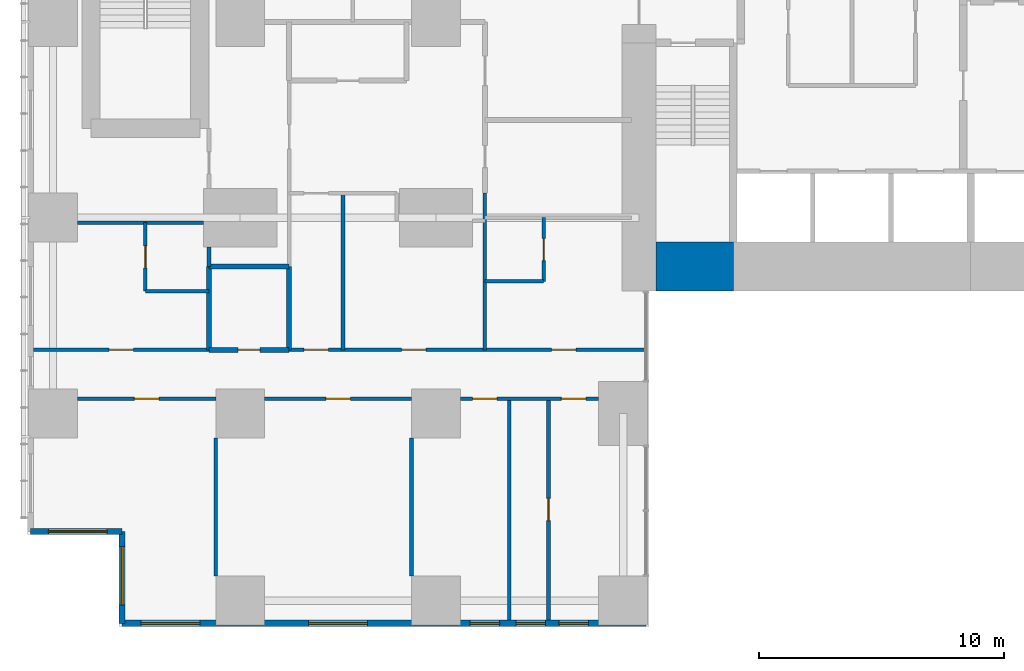
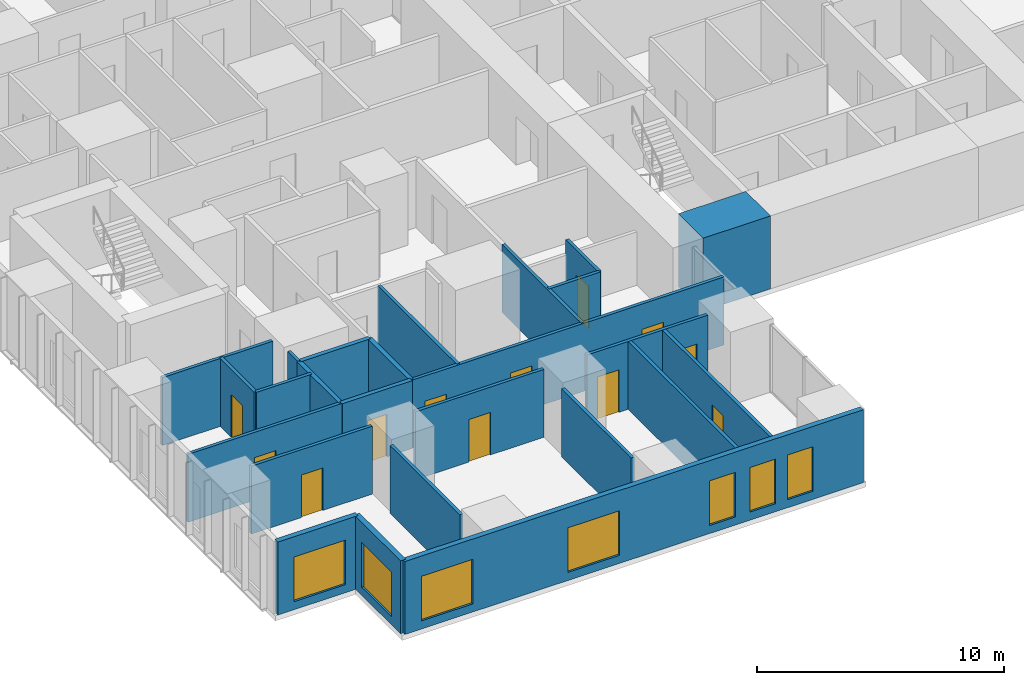
# One storey, part 12 of 20: 25 walls, 12 doors, 7 windows, 19 openings.
"""IFC4 building model written with IfcOpenShell, lengths in metres."""

from ifc_helpers import new_model, si_unit, direction, frame, frame_2d, origin, place, context, subcontext, project, spatial, rectangle, extrude, material, layer, layer_set, type_object, element, fill, save


model = new_model("IFC4")

# Units and contexts
model_context = context("Model", 3, precision=1e-05, world=origin(), true_north=direction((0.0, 1.0)))
body_context = subcontext(model_context, "Body", "Model", "MODEL_VIEW")
ifc_project = project(units=[si_unit("LENGTHUNIT", "METRE"), si_unit("AREAUNIT", "SQUARE_METRE"), si_unit("VOLUMEUNIT", "CUBIC_METRE"), si_unit("PLANEANGLEUNIT", "RADIAN"), si_unit("MASSUNIT", "GRAM", prefix="KILO")], contexts=[model_context])

# Site, building, storey
site_placement = place(None, origin())
site = spatial("IfcSite", under=ifc_project, at=site_placement, CompositionType="ELEMENT")
building_placement = place(site_placement, origin())
building = spatial("IfcBuilding", under=site, at=building_placement, Name="Cleftline Residences", CompositionType="ELEMENT")
storey_placement = place(building_placement, frame((0.0, 0.0, 153.800048828125)))
storey = spatial("IfcBuildingStorey", under=building, at=storey_placement, Name="L40", CompositionType="ELEMENT", Elevation=153.800048828125)

# Wall
ifc_material_1 = material(Name="Concrete B70", Category="concrete")
ifc_layer_1 = layer(ifc_material_1, 2.0)
ifc_layer_set_1 = layer_set([ifc_layer_1], Name="CORE WALL 2000")
wall_type_1 = type_object("IfcWallType", Name="CORE WALL 2000", PredefinedType="SHEAR", material=ifc_layer_set_1)
wall_1_placement = place(storey_placement, frame((25.0, 14.0, 0.0), z_axis=(0.0, 0.0, 1.0), x_axis=(1.0, 0.0, 0.0)))
element("IfcWall", 1, at=wall_1_placement, inside=storey, type_object=wall_type_1, Name="Core wall S1", PredefinedType="SHEAR", context=body_context, shape_type="SweptSolid", body=[
    extrude(rectangle(XDim=3.14990234375, YDim=2.0, at=frame_2d((1.574951171875, 0.0))), origin(), (0.0, 0.0, 1.0), 3.599853515625),
])

# Wall, opening, window
ifc_material_2 = material(Name="Rendered reinforced concrete blockwork", Category="masonry")
ifc_layer_2 = layer(ifc_material_2, 0.25)
ifc_layer_set_2 = layer_set([ifc_layer_2], Name="EXTERNAL WALL 250")
wall_type_2 = type_object("IfcWallType", Name="EXTERNAL WALL 250", PredefinedType="SOLIDWALL", material=ifc_layer_set_2)
wall_2_placement = place(storey_placement, frame((-0.574951171875, 3.175048828125, 0.0), z_axis=(0.0, 0.0, 1.0), x_axis=(1.0, 0.0, 0.0)))
wall_2 = element("IfcWall", 2, at=wall_2_placement, inside=storey, type_object=wall_type_2, Name="External wall", PredefinedType="SOLIDWALL", context=body_context, shape_type="SweptSolid", body=[
    extrude(rectangle(XDim=3.75, YDim=0.25, at=frame_2d((1.875, 0.0))), origin(), (0.0, 0.0, 1.0), 3.599853515625),
])
opening_1_placement = place(wall_2_placement, frame((0.737548828125, 0.0, 0.39990234375)))
opening_1 = element("IfcOpeningElement", 3, at=opening_1_placement, cuts=wall_2, Name="Opening W12", PredefinedType="OPENING", context=body_context, shape_type="SweptSolid", body=[
    extrude(rectangle(XDim=2.39990234375, YDim=2.199951171875, at=frame_2d((1.199951171875, 1.10009765625))), frame((0.0, 0.135009765625, 0.0), z_axis=(0.0, -1.0, 0.0), x_axis=(1.0, 0.0, 0.0)), (0.0, 0.0, 1.0), 0.27001953125),
])
ifc_material_3 = material(Name="Aluminium frame, clear double glazing", Category="aluminium")
window_type_1 = type_object("IfcWindowType", Name="WINDOW 2400X2200", PartitioningType="DOUBLE_PANEL_VERTICAL", PredefinedType="WINDOW", material=ifc_material_3)
window_1_placement = place(opening_1_placement, origin())
window_1 = element("IfcWindow", 4, at=window_1_placement, inside=storey, type_object=window_type_1, Name="Window", OverallHeight=2.199951171875, OverallWidth=2.39990234375, PartitioningType="SINGLE_PANEL", PredefinedType="WINDOW", context=body_context, shape_type="SweptSolid", body=[
    extrude(rectangle(XDim=2.39990234375, YDim=2.199951171875, at=frame_2d((1.199951171875, 1.10009765625))), frame((0.0, 0.030029296875, 0.0), z_axis=(0.0, -1.0, 0.0), x_axis=(1.0, 0.0, 0.0)), (0.0, 0.0, 1.0), 0.06005859375),
])
fill(opening_1, window_1)

wall_3_placement = place(storey_placement, frame((3.175048828125, 3.175048828125, 0.0), z_axis=(0.0, 0.0, 1.0), x_axis=(0.0, -1.0, 0.0)))
wall_3 = element("IfcWall", 5, at=wall_3_placement, inside=storey, type_object=wall_type_2, Name="External wall", PredefinedType="SOLIDWALL", context=body_context, shape_type="SweptSolid", body=[
    extrude(rectangle(XDim=3.75, YDim=0.25, at=frame_2d((1.875, 0.0))), origin(), (0.0, 0.0, 1.0), 3.599853515625),
])
opening_2_placement = place(wall_3_placement, frame((0.612548828125, 0.0, 0.39990234375)))
opening_2 = element("IfcOpeningElement", 6, at=opening_2_placement, cuts=wall_3, Name="Opening W12", PredefinedType="OPENING", context=body_context, shape_type="SweptSolid", body=[
    extrude(rectangle(XDim=2.39990234375, YDim=2.199951171875, at=frame_2d((1.199951171875, 1.10009765625))), frame((0.0, 0.135009765625, 0.0), z_axis=(0.0, -1.0, 0.0), x_axis=(1.0, 0.0, 0.0)), (0.0, 0.0, 1.0), 0.27001953125),
])
window_2_placement = place(opening_2_placement, origin())
window_2 = element("IfcWindow", 7, at=window_2_placement, inside=storey, type_object=window_type_1, Name="Window", OverallHeight=2.199951171875, OverallWidth=2.39990234375, PartitioningType="SINGLE_PANEL", PredefinedType="WINDOW", context=body_context, shape_type="SweptSolid", body=[
    extrude(rectangle(XDim=2.39990234375, YDim=2.199951171875, at=frame_2d((1.199951171875, 1.10009765625))), frame((0.0, 0.030029296875, 0.0), z_axis=(0.0, -1.0, 0.0), x_axis=(1.0, 0.0, 0.0)), (0.0, 0.0, 1.0), 0.06005859375),
])
fill(opening_2, window_2)

# Wall, openings, windows
wall_4_placement = place(storey_placement, frame((3.175048828125, -0.574951171875, 0.0), z_axis=(0.0, 0.0, 1.0), x_axis=(1.0, 0.0, 0.0)))
wall_4 = element("IfcWall", 8, at=wall_4_placement, inside=storey, type_object=wall_type_2, Name="External wall", PredefinedType="SOLIDWALL", context=body_context, shape_type="SweptSolid", body=[
    extrude(rectangle(XDim=21.39990234375, YDim=0.25, at=frame_2d((10.699951171875, 0.0))), origin(), (0.0, 0.0, 1.0), 3.599853515625),
])
opening_3_placement = place(wall_4_placement, frame((0.77490234375, 0.0, 0.39990234375)))
opening_3 = element("IfcOpeningElement", 9, at=opening_3_placement, cuts=wall_4, Name="Opening W12", PredefinedType="OPENING", context=body_context, shape_type="SweptSolid", body=[
    extrude(rectangle(XDim=2.39990234375, YDim=2.199951171875, at=frame_2d((1.199951171875, 1.10009765625))), frame((0.0, 0.135009765625, 0.0), z_axis=(0.0, -1.0, 0.0), x_axis=(1.0, 0.0, 0.0)), (0.0, 0.0, 1.0), 0.27001953125),
])
opening_4_placement = place(wall_4_placement, frame((7.625, 0.0, 0.39990234375)))
opening_4 = element("IfcOpeningElement", 10, at=opening_4_placement, cuts=wall_4, Name="Opening W12", PredefinedType="OPENING", context=body_context, shape_type="SweptSolid", body=[
    extrude(rectangle(XDim=2.39990234375, YDim=2.199951171875, at=frame_2d((1.199951171875, 1.10009765625))), frame((0.0, 0.135009765625, 0.0), z_axis=(0.0, -1.0, 0.0), x_axis=(1.0, 0.0, 0.0)), (0.0, 0.0, 1.0), 0.27001953125),
])
opening_5_placement = place(wall_4_placement, frame((14.22509765625, 0.0, 0.39990234375)))
opening_5 = element("IfcOpeningElement", 11, at=opening_5_placement, cuts=wall_4, Name="Opening W11", PredefinedType="OPENING", context=body_context, shape_type="SweptSolid", body=[
    extrude(rectangle(XDim=1.199951171875, YDim=2.199951171875, at=frame_2d((0.60009765625, 1.10009765625))), frame((0.0, 0.135009765625, 0.0), z_axis=(0.0, -1.0, 0.0), x_axis=(1.0, 0.0, 0.0)), (0.0, 0.0, 1.0), 0.27001953125),
])
opening_6_placement = place(wall_4_placement, frame((16.10009765625, 0.0, 0.39990234375)))
opening_6 = element("IfcOpeningElement", 12, at=opening_6_placement, cuts=wall_4, Name="Opening W11", PredefinedType="OPENING", context=body_context, shape_type="SweptSolid", body=[
    extrude(rectangle(XDim=1.199951171875, YDim=2.199951171875, at=frame_2d((0.60009765625, 1.10009765625))), frame((0.0, 0.135009765625, 0.0), z_axis=(0.0, -1.0, 0.0), x_axis=(1.0, 0.0, 0.0)), (0.0, 0.0, 1.0), 0.27001953125),
])
opening_7_placement = place(wall_4_placement, frame((17.85009765625, 0.0, 0.39990234375)))
opening_7 = element("IfcOpeningElement", 13, at=opening_7_placement, cuts=wall_4, Name="Opening W11", PredefinedType="OPENING", context=body_context, shape_type="SweptSolid", body=[
    extrude(rectangle(XDim=1.199951171875, YDim=2.199951171875, at=frame_2d((0.60009765625, 1.10009765625))), frame((0.0, 0.135009765625, 0.0), z_axis=(0.0, -1.0, 0.0), x_axis=(1.0, 0.0, 0.0)), (0.0, 0.0, 1.0), 0.27001953125),
])
ifc_material_4 = material(Name="Aluminium frame, clear double glazing", Category="aluminium")
window_type_2 = type_object("IfcWindowType", Name="WINDOW 1200X2200", PartitioningType="DOUBLE_PANEL_VERTICAL", PredefinedType="WINDOW", material=ifc_material_4)
window_3_placement = place(opening_5_placement, origin())
window_3 = element("IfcWindow", 14, at=window_3_placement, inside=storey, type_object=window_type_2, Name="Window", OverallHeight=2.199951171875, OverallWidth=1.199951171875, PartitioningType="SINGLE_PANEL", PredefinedType="WINDOW", context=body_context, shape_type="SweptSolid", body=[
    extrude(rectangle(XDim=1.199951171875, YDim=2.199951171875, at=frame_2d((0.60009765625, 1.10009765625))), frame((0.0, 0.030029296875, 0.0), z_axis=(0.0, -1.0, 0.0), x_axis=(1.0, 0.0, 0.0)), (0.0, 0.0, 1.0), 0.06005859375),
])
fill(opening_5, window_3)
window_4_placement = place(opening_6_placement, origin())
window_4 = element("IfcWindow", 15, at=window_4_placement, inside=storey, type_object=window_type_2, Name="Window", OverallHeight=2.199951171875, OverallWidth=1.199951171875, PartitioningType="SINGLE_PANEL", PredefinedType="WINDOW", context=body_context, shape_type="SweptSolid", body=[
    extrude(rectangle(XDim=1.199951171875, YDim=2.199951171875, at=frame_2d((0.60009765625, 1.10009765625))), frame((0.0, 0.030029296875, 0.0), z_axis=(0.0, -1.0, 0.0), x_axis=(1.0, 0.0, 0.0)), (0.0, 0.0, 1.0), 0.06005859375),
])
fill(opening_6, window_4)
window_5_placement = place(opening_7_placement, origin())
window_5 = element("IfcWindow", 16, at=window_5_placement, inside=storey, type_object=window_type_2, Name="Window", OverallHeight=2.199951171875, OverallWidth=1.199951171875, PartitioningType="SINGLE_PANEL", PredefinedType="WINDOW", context=body_context, shape_type="SweptSolid", body=[
    extrude(rectangle(XDim=1.199951171875, YDim=2.199951171875, at=frame_2d((0.60009765625, 1.10009765625))), frame((0.0, 0.030029296875, 0.0), z_axis=(0.0, -1.0, 0.0), x_axis=(1.0, 0.0, 0.0)), (0.0, 0.0, 1.0), 0.06005859375),
])
fill(opening_7, window_5)
window_6_placement = place(opening_3_placement, origin())
window_6 = element("IfcWindow", 17, at=window_6_placement, inside=storey, type_object=window_type_1, Name="Window", OverallHeight=2.199951171875, OverallWidth=2.39990234375, PartitioningType="SINGLE_PANEL", PredefinedType="WINDOW", context=body_context, shape_type="SweptSolid", body=[
    extrude(rectangle(XDim=2.39990234375, YDim=2.199951171875, at=frame_2d((1.199951171875, 1.10009765625))), frame((0.0, 0.030029296875, 0.0), z_axis=(0.0, -1.0, 0.0), x_axis=(1.0, 0.0, 0.0)), (0.0, 0.0, 1.0), 0.06005859375),
])
fill(opening_3, window_6)
window_7_placement = place(opening_4_placement, origin())
window_7 = element("IfcWindow", 18, at=window_7_placement, inside=storey, type_object=window_type_1, Name="Window", OverallHeight=2.199951171875, OverallWidth=2.39990234375, PartitioningType="SINGLE_PANEL", PredefinedType="WINDOW", context=body_context, shape_type="SweptSolid", body=[
    extrude(rectangle(XDim=2.39990234375, YDim=2.199951171875, at=frame_2d((1.199951171875, 1.10009765625))), frame((0.0, 0.030029296875, 0.0), z_axis=(0.0, -1.0, 0.0), x_axis=(1.0, 0.0, 0.0)), (0.0, 0.0, 1.0), 0.06005859375),
])
fill(opening_4, window_7)

# Wall, opening, door
ifc_material_5 = material(Name="Concrete blockwork, fire rated", Category="masonry")
ifc_layer_3 = layer(ifc_material_5, 0.199951171875)
ifc_layer_set_3 = layer_set([ifc_layer_3], Name="FIRE WALL 200")
wall_type_3 = type_object("IfcWallType", Name="FIRE WALL 200", PredefinedType="PARTITIONING", material=ifc_layer_set_3)
wall_5_placement = place(storey_placement, frame((6.72509765625, 10.60009765625, 0.0), z_axis=(0.0, 0.0, 1.0), x_axis=(1.0, 0.0, 0.0)))
wall_5 = element("IfcWall", 19, at=wall_5_placement, inside=storey, type_object=wall_type_3, Name="Fire separating wall", PredefinedType="PARTITIONING", context=body_context, shape_type="SweptSolid", body=[
    extrude(rectangle(XDim=3.27490234375, YDim=0.199951171875, at=frame_2d((1.637451171875, 0.0))), origin(), (0.0, 0.0, 1.0), 3.349853515625),
])
opening_8_placement = place(wall_5_placement, frame((1.1875, 0.0, 0.0)))
opening_8 = element("IfcOpeningElement", 20, at=opening_8_placement, cuts=wall_5, Name="Opening D1F30", PredefinedType="OPENING", context=body_context, shape_type="SweptSolid", body=[
    extrude(rectangle(XDim=0.89990234375, YDim=2.10009765625, at=frame_2d((0.449951171875, 1.050048828125))), frame((0.0, 0.10986328125, 0.0), z_axis=(0.0, -1.0, 0.0), x_axis=(1.0, 0.0, 0.0)), (0.0, 0.0, 1.0), 0.219970703125),
])
ifc_material_6 = material(Name="Timber veneer on solid core", Category="wood")
door_type_1 = type_object("IfcDoorType", Name="DOOR 900X2100 EI 30", OperationType="SINGLE_SWING_LEFT", PredefinedType="DOOR", material=ifc_material_6)
door_1_placement = place(opening_8_placement, origin())
door_1 = element("IfcDoor", 21, at=door_1_placement, inside=storey, type_object=door_type_1, Name="Door to guest wc", OperationType="SINGLE_SWING_LEFT", OverallHeight=2.10009765625, OverallWidth=0.89990234375, PredefinedType="DOOR", context=body_context, shape_type="SweptSolid", body=[
    extrude(rectangle(XDim=0.89990234375, YDim=2.10009765625, at=frame_2d((0.449951171875, 1.050048828125))), frame((0.0, 0.02490234375, 0.0), z_axis=(0.0, -1.0, 0.0), x_axis=(1.0, 0.0, 0.0)), (0.0, 0.0, 1.0), 0.050048828125),
])
fill(opening_8, door_1)

# Walls
wall_6_placement = place(storey_placement, frame((6.72509765625, 14.0, 0.0), z_axis=(0.0, 0.0, 1.0), x_axis=(1.0, 0.0, 0.0)))
element("IfcWall", 22, at=wall_6_placement, inside=storey, type_object=wall_type_3, Name="Fire separating wall", PredefinedType="PARTITIONING", context=body_context, shape_type="SweptSolid", body=[
    extrude(rectangle(XDim=3.27490234375, YDim=0.199951171875, at=frame_2d((1.637451171875, 0.0))), origin(), (0.0, 0.0, 1.0), 3.349853515625),
])
for number, where, z_axis, x_axis, name in (
    (23, (6.72509765625, 10.60009765625, 0.0), (0.0, 0.0, 1.0), (0.0, 1.0, 0.0), "Fire separating wall"),
    (24, (10.0, 10.60009765625, 0.0), (0.0, 0.0, 1.0), (0.0, 1.0, 0.0), "Fire separating wall"),
):
    element("IfcWall", number, at=place(storey_placement, frame(where, z_axis=z_axis, x_axis=x_axis)), inside=storey, type_object=wall_type_3, Name=name, PredefinedType="PARTITIONING", context=body_context, shape_type="SweptSolid", body=[
        extrude(rectangle(XDim=3.39990234375, YDim=0.199951171875, at=frame_2d((1.699951171875, 0.0))), origin(), (0.0, 0.0, 1.0), 3.349853515625),
    ])

# Wall, opening, door
ifc_material_7 = material(Name="Gypsum board on steel studs", Category="steel")
ifc_layer_4 = layer(ifc_material_7, 0.14990234375)
ifc_layer_set_4 = layer_set([ifc_layer_4], Name="PARTITION 150")
wall_type_4 = type_object("IfcWallType", Name="PARTITION 150", PredefinedType="PARTITIONING", material=ifc_layer_set_4)
wall_7_placement = place(storey_placement, frame((1.35009765625, 8.60009765625, 0.0), z_axis=(0.0, 0.0, 1.0), x_axis=(1.0, 0.0, 0.0)))
wall_7 = element("IfcWall", 25, at=wall_7_placement, inside=storey, type_object=wall_type_4, Name="Partition", PredefinedType="PARTITIONING", context=body_context, shape_type="SweptSolid", body=[
    extrude(rectangle(XDim=5.64990234375, YDim=0.14990234375, at=frame_2d((2.824951171875, 0.0))), origin(), (0.0, 0.0, 1.0), 3.349853515625),
])
opening_9_placement = place(wall_7_placement, frame((2.324951171875, 0.0, 0.0)))
opening_9 = element("IfcOpeningElement", 26, at=opening_9_placement, cuts=wall_7, Name="Opening D2", PredefinedType="OPENING", context=body_context, shape_type="SweptSolid", body=[
    extrude(rectangle(XDim=1.0, YDim=2.10009765625, at=frame_2d((0.5, 1.050048828125))), frame((0.0, 0.0849609375, 0.0), z_axis=(0.0, -1.0, 0.0), x_axis=(1.0, 0.0, 0.0)), (0.0, 0.0, 1.0), 0.169921875),
])
ifc_material_8 = material(Name="Timber veneer on solid core", Category="wood")
door_type_2 = type_object("IfcDoorType", Name="DOOR 1000X2100", OperationType="SINGLE_SWING_LEFT", PredefinedType="DOOR", material=ifc_material_8)
door_2_placement = place(opening_9_placement, origin())
door_2 = element("IfcDoor", 27, at=door_2_placement, inside=storey, type_object=door_type_2, Name="Door to winter garden", OperationType="SINGLE_SWING_LEFT", OverallHeight=2.10009765625, OverallWidth=1.0, PredefinedType="DOOR", context=body_context, shape_type="SweptSolid", body=[
    extrude(rectangle(XDim=1.0, YDim=2.10009765625, at=frame_2d((0.5, 1.050048828125))), frame((0.0, 0.02490234375, 0.0), z_axis=(0.0, -1.0, 0.0), x_axis=(1.0, 0.0, 0.0)), (0.0, 0.0, 1.0), 0.050048828125),
])
fill(opening_9, door_2)

wall_8_placement = place(storey_placement, frame((9.0, 8.60009765625, 0.0), z_axis=(0.0, 0.0, 1.0), x_axis=(1.0, 0.0, 0.0)))
wall_8 = element("IfcWall", 28, at=wall_8_placement, inside=storey, type_object=wall_type_4, Name="Partition", PredefinedType="PARTITIONING", context=body_context, shape_type="SweptSolid", body=[
    extrude(rectangle(XDim=6.0, YDim=0.14990234375, at=frame_2d((3.0, 0.0))), origin(), (0.0, 0.0, 1.0), 3.349853515625),
])
opening_10_placement = place(wall_8_placement, frame((2.5, 0.0, 0.0)))
opening_10 = element("IfcOpeningElement", 29, at=opening_10_placement, cuts=wall_8, Name="Opening D2", PredefinedType="OPENING", context=body_context, shape_type="SweptSolid", body=[
    extrude(rectangle(XDim=1.0, YDim=2.10009765625, at=frame_2d((0.5, 1.050048828125))), frame((0.0, 0.0849609375, 0.0), z_axis=(0.0, -1.0, 0.0), x_axis=(1.0, 0.0, 0.0)), (0.0, 0.0, 1.0), 0.169921875),
])
door_3_placement = place(opening_10_placement, origin())
door_3 = element("IfcDoor", 30, at=door_3_placement, inside=storey, type_object=door_type_2, Name="Door to living room", OperationType="SINGLE_SWING_LEFT", OverallHeight=2.10009765625, OverallWidth=1.0, PredefinedType="DOOR", context=body_context, shape_type="SweptSolid", body=[
    extrude(rectangle(XDim=1.0, YDim=2.10009765625, at=frame_2d((0.5, 1.050048828125))), frame((0.0, 0.02490234375, 0.0), z_axis=(0.0, -1.0, 0.0), x_axis=(1.0, 0.0, 0.0)), (0.0, 0.0, 1.0), 0.050048828125),
])
fill(opening_10, door_3)

# Wall, openings, doors
wall_9_placement = place(storey_placement, frame((17.0, 8.60009765625, 0.0), z_axis=(0.0, 0.0, 1.0), x_axis=(1.0, 0.0, 0.0)))
wall_9 = element("IfcWall", 31, at=wall_9_placement, inside=storey, type_object=wall_type_4, Name="Partition", PredefinedType="PARTITIONING", context=body_context, shape_type="SweptSolid", body=[
    extrude(rectangle(XDim=5.64990234375, YDim=0.14990234375, at=frame_2d((2.824951171875, 0.0))), origin(), (0.0, 0.0, 1.0), 3.349853515625),
])
opening_11_placement = place(wall_9_placement, frame((0.5, 0.0, 0.0)))
opening_11 = element("IfcOpeningElement", 32, at=opening_11_placement, cuts=wall_9, Name="Opening D2", PredefinedType="OPENING", context=body_context, shape_type="SweptSolid", body=[
    extrude(rectangle(XDim=1.0, YDim=2.10009765625, at=frame_2d((0.5, 1.050048828125))), frame((0.0, 0.0849609375, 0.0), z_axis=(0.0, -1.0, 0.0), x_axis=(1.0, 0.0, 0.0)), (0.0, 0.0, 1.0), 0.169921875),
])
opening_12_placement = place(wall_9_placement, frame((4.125, 0.0, 0.0)))
opening_12 = element("IfcOpeningElement", 33, at=opening_12_placement, cuts=wall_9, Name="Opening D2", PredefinedType="OPENING", context=body_context, shape_type="SweptSolid", body=[
    extrude(rectangle(XDim=1.0, YDim=2.10009765625, at=frame_2d((0.5, 1.050048828125))), frame((0.0, 0.0849609375, 0.0), z_axis=(0.0, -1.0, 0.0), x_axis=(1.0, 0.0, 0.0)), (0.0, 0.0, 1.0), 0.169921875),
])
door_4_placement = place(opening_11_placement, origin())
door_4 = element("IfcDoor", 34, at=door_4_placement, inside=storey, type_object=door_type_2, Name="Door to dining room", OperationType="SINGLE_SWING_RIGHT", OverallHeight=2.10009765625, OverallWidth=1.0, PredefinedType="DOOR", context=body_context, shape_type="SweptSolid", body=[
    extrude(rectangle(XDim=1.0, YDim=2.10009765625, at=frame_2d((0.5, 1.050048828125))), frame((0.0, 0.02490234375, 0.0), z_axis=(0.0, -1.0, 0.0), x_axis=(1.0, 0.0, 0.0)), (0.0, 0.0, 1.0), 0.050048828125),
])
fill(opening_11, door_4)
door_5_placement = place(opening_12_placement, origin())
door_5 = element("IfcDoor", 35, at=door_5_placement, inside=storey, type_object=door_type_2, Name="Door to show kitchen", OperationType="SINGLE_SWING_LEFT", OverallHeight=2.10009765625, OverallWidth=1.0, PredefinedType="DOOR", context=body_context, shape_type="SweptSolid", body=[
    extrude(rectangle(XDim=1.0, YDim=2.10009765625, at=frame_2d((0.5, 1.050048828125))), frame((0.0, 0.02490234375, 0.0), z_axis=(0.0, -1.0, 0.0), x_axis=(1.0, 0.0, 0.0)), (0.0, 0.0, 1.0), 0.050048828125),
])
fill(opening_12, door_5)

# Wall, opening, door
wall_10_placement = place(storey_placement, frame((-0.449951171875, 10.60009765625, 0.0), z_axis=(0.0, 0.0, 1.0), x_axis=(1.0, 0.0, 0.0)))
wall_10 = element("IfcWall", 36, at=wall_10_placement, inside=storey, type_object=wall_type_4, Name="Partition", PredefinedType="PARTITIONING", context=body_context, shape_type="SweptSolid", body=[
    extrude(rectangle(XDim=7.175048828125, YDim=0.14990234375, at=frame_2d((3.58740234375, 0.0))), origin(), (0.0, 0.0, 1.0), 3.349853515625),
])
opening_13_placement = place(wall_10_placement, frame((3.08740234375, 0.0, 0.0)))
opening_13 = element("IfcOpeningElement", 37, at=opening_13_placement, cuts=wall_10, Name="Opening D2", PredefinedType="OPENING", context=body_context, shape_type="SweptSolid", body=[
    extrude(rectangle(XDim=1.0, YDim=2.10009765625, at=frame_2d((0.5, 1.050048828125))), frame((0.0, 0.0849609375, 0.0), z_axis=(0.0, -1.0, 0.0), x_axis=(1.0, 0.0, 0.0)), (0.0, 0.0, 1.0), 0.169921875),
])
door_6_placement = place(opening_13_placement, origin())
door_6 = element("IfcDoor", 38, at=door_6_placement, inside=storey, type_object=door_type_2, Name="Door to master bedroom", OperationType="SINGLE_SWING_LEFT", OverallHeight=2.10009765625, OverallWidth=1.0, PredefinedType="DOOR", context=body_context, shape_type="SweptSolid", body=[
    extrude(rectangle(XDim=1.0, YDim=2.10009765625, at=frame_2d((0.5, 1.050048828125))), frame((0.0, 0.02490234375, 0.0), z_axis=(0.0, -1.0, 0.0), x_axis=(1.0, 0.0, 0.0)), (0.0, 0.0, 1.0), 0.050048828125),
])
fill(opening_13, door_6)

# Wall, openings, doors
wall_11_placement = place(storey_placement, frame((10.0, 10.60009765625, 0.0), z_axis=(0.0, 0.0, 1.0), x_axis=(1.0, 0.0, 0.0)))
wall_11 = element("IfcWall", 39, at=wall_11_placement, inside=storey, type_object=wall_type_4, Name="Partition", PredefinedType="PARTITIONING", context=body_context, shape_type="SweptSolid", body=[
    extrude(rectangle(XDim=14.56103515625, YDim=0.14990234375, at=frame_2d((7.280517578125, 0.0))), origin(), (0.0, 0.0, 1.0), 3.349853515625),
])
opening_14_placement = place(wall_11_placement, frame((0.60009765625, 0.0, 0.0)))
opening_14 = element("IfcOpeningElement", 40, at=opening_14_placement, cuts=wall_11, Name="Opening D2F30", PredefinedType="OPENING", context=body_context, shape_type="SweptSolid", body=[
    extrude(rectangle(XDim=1.0, YDim=2.10009765625, at=frame_2d((0.5, 1.050048828125))), frame((0.0, 0.0849609375, 0.0), z_axis=(0.0, -1.0, 0.0), x_axis=(1.0, 0.0, 0.0)), (0.0, 0.0, 1.0), 0.169921875),
])
opening_15_placement = place(wall_11_placement, frame((4.60009765625, 0.0, 0.0)))
opening_15 = element("IfcOpeningElement", 41, at=opening_15_placement, cuts=wall_11, Name="Opening D2F30", PredefinedType="OPENING", context=body_context, shape_type="SweptSolid", body=[
    extrude(rectangle(XDim=1.0, YDim=2.10009765625, at=frame_2d((0.5, 1.050048828125))), frame((0.0, 0.0849609375, 0.0), z_axis=(0.0, -1.0, 0.0), x_axis=(1.0, 0.0, 0.0)), (0.0, 0.0, 1.0), 0.169921875),
])
opening_16_placement = place(wall_11_placement, frame((10.72509765625, 0.0, 0.0)))
opening_16 = element("IfcOpeningElement", 42, at=opening_16_placement, cuts=wall_11, Name="Opening D2F30", PredefinedType="OPENING", context=body_context, shape_type="SweptSolid", body=[
    extrude(rectangle(XDim=1.0, YDim=2.10009765625, at=frame_2d((0.5, 1.050048828125))), frame((0.0, 0.0849609375, 0.0), z_axis=(0.0, -1.0, 0.0), x_axis=(1.0, 0.0, 0.0)), (0.0, 0.0, 1.0), 0.169921875),
])
ifc_material_9 = material(Name="Timber veneer on solid core", Category="wood")
door_type_3 = type_object("IfcDoorType", Name="DOOR 1000X2100 EI 30", OperationType="SINGLE_SWING_LEFT", PredefinedType="DOOR", material=ifc_material_9)
door_7_placement = place(opening_14_placement, origin())
door_7 = element("IfcDoor", 43, at=door_7_placement, inside=storey, type_object=door_type_3, Name="Door to residence hall (gallery)", OperationType="SINGLE_SWING_RIGHT", OverallHeight=2.10009765625, OverallWidth=1.0, PredefinedType="DOOR", context=body_context, shape_type="SweptSolid", body=[
    extrude(rectangle(XDim=1.0, YDim=2.10009765625, at=frame_2d((0.5, 1.050048828125))), frame((0.0, 0.02490234375, 0.0), z_axis=(0.0, -1.0, 0.0), x_axis=(1.0, 0.0, 0.0)), (0.0, 0.0, 1.0), 0.050048828125),
])
fill(opening_14, door_7)
door_8_placement = place(opening_15_placement, origin())
door_8 = element("IfcDoor", 44, at=door_8_placement, inside=storey, type_object=door_type_3, Name="Door to study", OperationType="SINGLE_SWING_RIGHT", OverallHeight=2.10009765625, OverallWidth=1.0, PredefinedType="DOOR", context=body_context, shape_type="SweptSolid", body=[
    extrude(rectangle(XDim=1.0, YDim=2.10009765625, at=frame_2d((0.5, 1.050048828125))), frame((0.0, 0.02490234375, 0.0), z_axis=(0.0, -1.0, 0.0), x_axis=(1.0, 0.0, 0.0)), (0.0, 0.0, 1.0), 0.050048828125),
])
fill(opening_15, door_8)
door_9_placement = place(opening_16_placement, origin())
door_9 = element("IfcDoor", 45, at=door_9_placement, inside=storey, type_object=door_type_3, Name="Door to bedroom 2", OperationType="SINGLE_SWING_LEFT", OverallHeight=2.10009765625, OverallWidth=1.0, PredefinedType="DOOR", context=body_context, shape_type="SweptSolid", body=[
    extrude(rectangle(XDim=1.0, YDim=2.10009765625, at=frame_2d((0.5, 1.050048828125))), frame((0.0, 0.02490234375, 0.0), z_axis=(0.0, -1.0, 0.0), x_axis=(1.0, 0.0, 0.0)), (0.0, 0.0, 1.0), 0.050048828125),
])
fill(opening_16, door_9)

# Walls
wall_12_placement = place(storey_placement, frame((4.125, 13.0, 0.0), z_axis=(0.0, 0.0, 1.0), x_axis=(1.0, 0.0, 0.0)))
element("IfcWall", 46, at=wall_12_placement, inside=storey, type_object=wall_type_4, Name="Partition", PredefinedType="PARTITIONING", context=body_context, shape_type="SweptSolid", body=[
    extrude(rectangle(XDim=2.60009765625, YDim=0.14990234375, at=frame_2d((1.300048828125, 0.0))), origin(), (0.0, 0.0, 1.0), 3.349853515625),
])
wall_13_placement = place(storey_placement, frame((18.0, 13.39990234375, 0.0), z_axis=(0.0, 0.0, 1.0), x_axis=(1.0, 0.0, 0.0)))
element("IfcWall", 47, at=wall_13_placement, inside=storey, type_object=wall_type_4, Name="Partition", PredefinedType="PARTITIONING", context=body_context, shape_type="SweptSolid", body=[
    extrude(rectangle(XDim=2.39990234375, YDim=0.14990234375, at=frame_2d((1.199951171875, 0.0))), origin(), (0.0, 0.0, 1.0), 3.349853515625),
])
wall_14_placement = place(storey_placement, frame((1.35009765625, 15.800048828125, 0.0), z_axis=(0.0, 0.0, 1.0), x_axis=(1.0, 0.0, 0.0)))
element("IfcWall", 48, at=wall_14_placement, inside=storey, type_object=wall_type_4, Name="Partition", PredefinedType="PARTITIONING", context=body_context, shape_type="SweptSolid", body=[
    extrude(rectangle(XDim=5.14990234375, YDim=0.14990234375, at=frame_2d((2.574951171875, 0.0))), origin(), (0.0, 0.0, 1.0), 3.349853515625),
])

# Wall, opening, door
wall_15_placement = place(storey_placement, frame((4.125, 13.0, 0.0), z_axis=(0.0, 0.0, 1.0), x_axis=(0.0, 1.0, 0.0)))
wall_15 = element("IfcWall", 49, at=wall_15_placement, inside=storey, type_object=wall_type_4, Name="Partition", PredefinedType="PARTITIONING", context=body_context, shape_type="SweptSolid", body=[
    extrude(rectangle(XDim=2.800048828125, YDim=0.14990234375, at=frame_2d((1.39990234375, 0.0))), origin(), (0.0, 0.0, 1.0), 3.349853515625),
])
opening_17_placement = place(wall_15_placement, frame((0.949951171875, 0.0, 0.0)))
opening_17 = element("IfcOpeningElement", 50, at=opening_17_placement, cuts=wall_15, Name="Opening D1", PredefinedType="OPENING", context=body_context, shape_type="SweptSolid", body=[
    extrude(rectangle(XDim=0.89990234375, YDim=2.10009765625, at=frame_2d((0.449951171875, 1.050048828125))), frame((0.0, 0.0849609375, 0.0), z_axis=(0.0, -1.0, 0.0), x_axis=(1.0, 0.0, 0.0)), (0.0, 0.0, 1.0), 0.169921875),
])
ifc_material_10 = material(Name="Timber veneer on solid core", Category="wood")
door_type_4 = type_object("IfcDoorType", Name="DOOR 900X2100", OperationType="SINGLE_SWING_LEFT", PredefinedType="DOOR", material=ifc_material_10)
door_10_placement = place(opening_17_placement, origin())
door_10 = element("IfcDoor", 51, at=door_10_placement, inside=storey, type_object=door_type_4, Name="Door to master bathroom", OperationType="SINGLE_SWING_LEFT", OverallHeight=2.10009765625, OverallWidth=0.89990234375, PredefinedType="DOOR", context=body_context, shape_type="SweptSolid", body=[
    extrude(rectangle(XDim=0.89990234375, YDim=2.10009765625, at=frame_2d((0.449951171875, 1.050048828125))), frame((0.0, 0.02490234375, 0.0), z_axis=(0.0, -1.0, 0.0), x_axis=(1.0, 0.0, 0.0)), (0.0, 0.0, 1.0), 0.050048828125),
])
fill(opening_17, door_10)

# Walls
wall_16_placement = place(storey_placement, frame((6.72509765625, 14.0, 0.0), z_axis=(0.0, 0.0, 1.0), x_axis=(0.0, 1.0, 0.0)))
element("IfcWall", 52, at=wall_16_placement, inside=storey, type_object=wall_type_4, Name="Partition", PredefinedType="PARTITIONING", context=body_context, shape_type="SweptSolid", body=[
    extrude(rectangle(XDim=0.800048828125, YDim=0.14990234375, at=frame_2d((0.39990234375, 0.0))), origin(), (0.0, 0.0, 1.0), 3.349853515625),
])
wall_17_placement = place(storey_placement, frame((7.0, 1.35009765625, 0.0), z_axis=(0.0, 0.0, 1.0), x_axis=(0.0, 1.0, 0.0)))
element("IfcWall", 53, at=wall_17_placement, inside=storey, type_object=wall_type_4, Name="Partition", PredefinedType="PARTITIONING", context=body_context, shape_type="SweptSolid", body=[
    extrude(rectangle(XDim=5.64990234375, YDim=0.14990234375, at=frame_2d((2.824951171875, 0.0))), origin(), (0.0, 0.0, 1.0), 3.349853515625),
])
wall_18_placement = place(storey_placement, frame((12.199951171875, 10.60009765625, 0.0), z_axis=(0.0, 0.0, 1.0), x_axis=(0.0, 1.0, 0.0)))
element("IfcWall", 54, at=wall_18_placement, inside=storey, type_object=wall_type_4, Name="Partition", PredefinedType="PARTITIONING", context=body_context, shape_type="SweptSolid", body=[
    extrude(rectangle(XDim=6.39990234375, YDim=0.14990234375, at=frame_2d((3.199951171875, 0.0))), origin(), (0.0, 0.0, 1.0), 3.349853515625),
])
wall_19_placement = place(storey_placement, frame((15.0, 1.35009765625, 0.0), z_axis=(0.0, 0.0, 1.0), x_axis=(0.0, 1.0, 0.0)))
element("IfcWall", 55, at=wall_19_placement, inside=storey, type_object=wall_type_4, Name="Partition", PredefinedType="PARTITIONING", context=body_context, shape_type="SweptSolid", body=[
    extrude(rectangle(XDim=5.64990234375, YDim=0.14990234375, at=frame_2d((2.824951171875, 0.0))), origin(), (0.0, 0.0, 1.0), 3.349853515625),
])
wall_20_placement = place(storey_placement, frame((18.0, 10.60009765625, 0.0), z_axis=(0.0, 0.0, 1.0), x_axis=(0.0, 1.0, 0.0)))
element("IfcWall", 56, at=wall_20_placement, inside=storey, type_object=wall_type_4, Name="Partition", PredefinedType="PARTITIONING", context=body_context, shape_type="SweptSolid", body=[
    extrude(rectangle(XDim=6.39990234375, YDim=0.14990234375, at=frame_2d((3.199951171875, 0.0))), origin(), (0.0, 0.0, 1.0), 3.349853515625),
])
wall_21_placement = place(storey_placement, frame((19.0, -0.449951171875, 0.0), z_axis=(0.0, 0.0, 1.0), x_axis=(0.0, 1.0, 0.0)))
element("IfcWall", 57, at=wall_21_placement, inside=storey, type_object=wall_type_4, Name="Partition", PredefinedType="PARTITIONING", context=body_context, shape_type="SweptSolid", body=[
    extrude(rectangle(XDim=9.050048828125, YDim=0.14990234375, at=frame_2d((4.52490234375, 0.0))), origin(), (0.0, 0.0, 1.0), 3.349853515625),
])

# Wall, opening, door
wall_22_placement = place(storey_placement, frame((20.39990234375, 13.39990234375, 0.0), z_axis=(0.0, 0.0, 1.0), x_axis=(0.0, 1.0, 0.0)))
wall_22 = element("IfcWall", 58, at=wall_22_placement, inside=storey, type_object=wall_type_4, Name="Partition", PredefinedType="PARTITIONING", context=body_context, shape_type="SweptSolid", body=[
    extrude(rectangle(XDim=2.60009765625, YDim=0.14990234375, at=frame_2d((1.300048828125, 0.0))), origin(), (0.0, 0.0, 1.0), 3.349853515625),
])
opening_18_placement = place(wall_22_placement, frame((0.85009765625, 0.0, 0.0)))
opening_18 = element("IfcOpeningElement", 59, at=opening_18_placement, cuts=wall_22, Name="Opening D1", PredefinedType="OPENING", context=body_context, shape_type="SweptSolid", body=[
    extrude(rectangle(XDim=0.89990234375, YDim=2.10009765625, at=frame_2d((0.449951171875, 1.050048828125))), frame((0.0, 0.0849609375, 0.0), z_axis=(0.0, -1.0, 0.0), x_axis=(1.0, 0.0, 0.0)), (0.0, 0.0, 1.0), 0.169921875),
])
door_11_placement = place(opening_18_placement, origin())
door_11 = element("IfcDoor", 60, at=door_11_placement, inside=storey, type_object=door_type_4, Name="Door to en-suite bathroom 2", OperationType="SINGLE_SWING_LEFT", OverallHeight=2.10009765625, OverallWidth=0.89990234375, PredefinedType="DOOR", context=body_context, shape_type="SweptSolid", body=[
    extrude(rectangle(XDim=0.89990234375, YDim=2.10009765625, at=frame_2d((0.449951171875, 1.050048828125))), frame((0.0, 0.02490234375, 0.0), z_axis=(0.0, -1.0, 0.0), x_axis=(1.0, 0.0, 0.0)), (0.0, 0.0, 1.0), 0.050048828125),
])
fill(opening_18, door_11)

wall_23_placement = place(storey_placement, frame((20.60009765625, -0.449951171875, 0.0), z_axis=(0.0, 0.0, 1.0), x_axis=(0.0, 1.0, 0.0)))
wall_23 = element("IfcWall", 61, at=wall_23_placement, inside=storey, type_object=wall_type_4, Name="Partition", PredefinedType="PARTITIONING", context=body_context, shape_type="SweptSolid", body=[
    extrude(rectangle(XDim=9.050048828125, YDim=0.14990234375, at=frame_2d((4.52490234375, 0.0))), origin(), (0.0, 0.0, 1.0), 3.349853515625),
])
opening_19_placement = place(wall_23_placement, frame((4.074951171875, 0.0, 0.0)))
opening_19 = element("IfcOpeningElement", 62, at=opening_19_placement, cuts=wall_23, Name="Opening D1", PredefinedType="OPENING", context=body_context, shape_type="SweptSolid", body=[
    extrude(rectangle(XDim=0.89990234375, YDim=2.10009765625, at=frame_2d((0.449951171875, 1.050048828125))), frame((0.0, 0.0849609375, 0.0), z_axis=(0.0, -1.0, 0.0), x_axis=(1.0, 0.0, 0.0)), (0.0, 0.0, 1.0), 0.169921875),
])
door_12_placement = place(opening_19_placement, origin())
door_12 = element("IfcDoor", 63, at=door_12_placement, inside=storey, type_object=door_type_4, Name="Door to kitchen store", OperationType="SINGLE_SWING_LEFT", OverallHeight=2.10009765625, OverallWidth=0.89990234375, PredefinedType="DOOR", context=body_context, shape_type="SweptSolid", body=[
    extrude(rectangle(XDim=0.89990234375, YDim=2.10009765625, at=frame_2d((0.449951171875, 1.050048828125))), frame((0.0, 0.02490234375, 0.0), z_axis=(0.0, -1.0, 0.0), x_axis=(1.0, 0.0, 0.0)), (0.0, 0.0, 1.0), 0.050048828125),
])
fill(opening_19, door_12)

save(model, "model.ifc")
